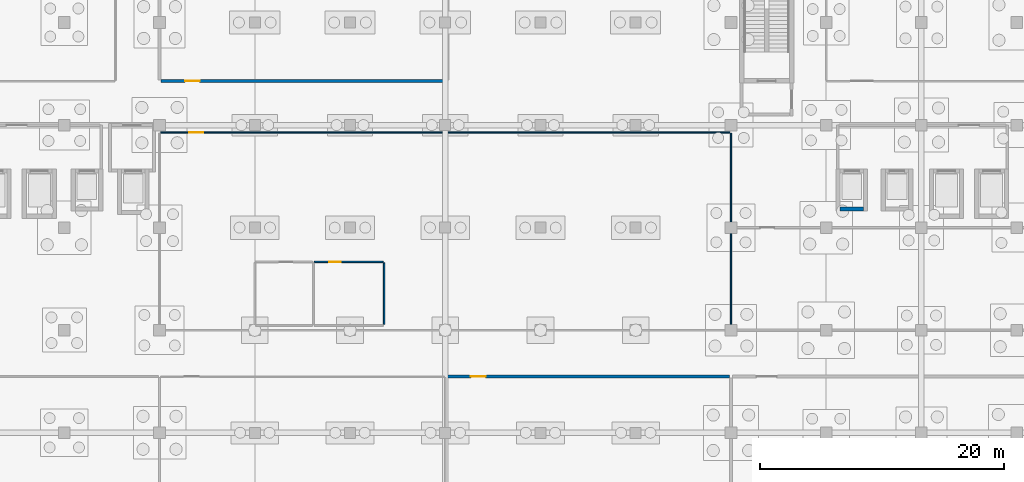
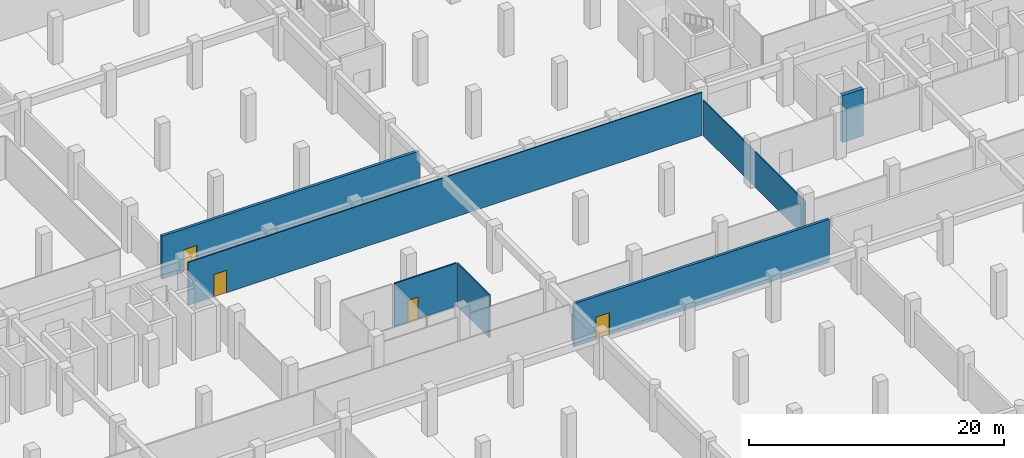
# One storey, part 16 of 30: 7 walls, 4 doors, 4 openings.
"""IFC4 building model written with IfcOpenShell, lengths in metres."""

from ifc_helpers import new_model, si_unit, direction, frame, frame_2d, origin, place, context, subcontext, project, spatial, rectangle, extrude, material, layer, layer_set, type_object, element, fill, save


model = new_model("IFC4")

# Units and contexts
model_context = context("Model", 3, precision=1e-05, world=origin(), true_north=direction((0.0, 1.0)))
body_context = subcontext(model_context, "Body", "Model", "MODEL_VIEW")
ifc_project = project(units=[si_unit("LENGTHUNIT", "METRE"), si_unit("AREAUNIT", "SQUARE_METRE"), si_unit("VOLUMEUNIT", "CUBIC_METRE"), si_unit("PLANEANGLEUNIT", "RADIAN"), si_unit("MASSUNIT", "GRAM", prefix="KILO"), si_unit("THERMODYNAMICTEMPERATUREUNIT", "KELVIN"), si_unit("POWERUNIT", "WATT")], contexts=[model_context])

# Site, building, storey
site_placement = place(None, origin())
site = spatial("IfcSite", under=ifc_project, at=site_placement, CompositionType="ELEMENT")
building_placement = place(site_placement, origin())
building = spatial("IfcBuilding", under=site, at=building_placement, Name="Srebrne Nadtorze General Hospital", CompositionType="ELEMENT")
storey_placement = place(building_placement, frame((0.0, 0.0, -4.5)))
storey = spatial("IfcBuildingStorey", under=building, at=storey_placement, Name="B1", CompositionType="ELEMENT", Elevation=-4.5)

# Wall, opening, door
ifc_material_1 = material(Name="Gypsum Healthcare Partition")
ifc_layer_1 = layer(ifc_material_1, 0.239990234375)
ifc_layer_set_1 = layer_set([ifc_layer_1], Name="Gypsum Healthcare Partition")
wall_type_1 = type_object("IfcWallType", Name="Corridor fire wall 240", PredefinedType="STANDARD", material=ifc_layer_set_1)
wall_1_placement = place(storey_placement, frame((54.7099609375, 54.0, 0.0), z_axis=(0.0, 0.0, 1.0), x_axis=(1.0, 0.0, 0.0)))
wall_1 = element("IfcWall", 1, at=wall_1_placement, inside=storey, type_object=wall_type_1, Name="Central Sterile Supply Department wall WL-INT-B1-1204", PredefinedType="STANDARD", context=body_context, shape_type="SweptSolid", body=[
    extrude(rectangle(XDim=23.35498046875, YDim=0.239990234375, at=frame_2d((11.677490234375, 0.0))), origin(), (0.0, 0.0, 1.0), 4.1298828125),
])
opening_1_placement = place(wall_1_placement, frame((1.9765625, 0.0, 0.0)))
opening_1 = element("IfcOpeningElement", 2, at=opening_1_placement, cuts=wall_1, Name="Opening D-B1-0167", PredefinedType="OPENING", context=body_context, shape_type="SweptSolid", body=[
    extrude(rectangle(XDim=1.199951171875, YDim=2.14990234375, at=frame_2d((0.60009765625, 1.074951171875))), frame((0.0, 0.1318359375, 0.0), z_axis=(0.0, -1.0, 0.0), x_axis=(1.0, 0.0, 0.0)), (0.0, 0.0, 1.0), 0.263916015625),
])
ifc_material_2 = material(Name="Anodised Aluminium", Category="aluminium")
door_type_1 = type_object("IfcDoorType", Name="Single leaf door 1200x2150", OperationType="NOTDEFINED", PredefinedType="DOOR", material=ifc_material_2)
door_1_placement = place(opening_1_placement, origin())
door_1 = element("IfcDoor", 3, at=door_1_placement, inside=storey, type_object=door_type_1, Name="Central Sterile Supply Department door D-B1-0167", OperationType="SINGLE_SWING_LEFT", OverallHeight=2.14990234375, OverallWidth=1.199951171875, PredefinedType="DOOR", context=body_context, shape_type="SweptSolid", body=[
    extrude(rectangle(XDim=1.199951171875, YDim=2.14990234375, at=frame_2d((0.60009765625, 1.074951171875))), frame((0.0, 0.02490234375, 0.0), z_axis=(0.0, -1.0, 0.0), x_axis=(1.0, 0.0, 0.0)), (0.0, 0.0, 1.0), 0.050048828125),
])
fill(opening_1, door_1)

wall_2_placement = place(storey_placement, frame((78.110107421875, 29.800048828125, 0.0), z_axis=(0.0, 0.0, 1.0), x_axis=(1.0, 0.0, 0.0)))
wall_2 = element("IfcWall", 4, at=wall_2_placement, inside=storey, type_object=wall_type_1, Name="Hospital Linen and Sterile Logistics wall WL-INT-B1-1238", PredefinedType="STANDARD", context=body_context, shape_type="SweptSolid", body=[
    extrude(rectangle(XDim=23.179931640625, YDim=0.239990234375, at=frame_2d((11.58984375, 0.0))), origin(), (0.0, 0.0, 1.0), 4.1298828125),
])
opening_2_placement = place(wall_2_placement, frame((1.980712890625, 0.0, 0.0)))
opening_2 = element("IfcOpeningElement", 5, at=opening_2_placement, cuts=wall_2, Name="Opening D-B1-0174", PredefinedType="OPENING", context=body_context, shape_type="SweptSolid", body=[
    extrude(rectangle(XDim=1.219970703125, YDim=2.14990234375, at=frame_2d((0.60986328125, 1.074951171875))), frame((0.0, 0.1318359375, 0.0), z_axis=(0.0, -1.0, 0.0), x_axis=(1.0, 0.0, 0.0)), (0.0, 0.0, 1.0), 0.263916015625),
])
ifc_material_3 = material(Name="Anodised Aluminium", Category="aluminium")
door_type_2 = type_object("IfcDoorType", Name="Single leaf door 1220x2150", OperationType="NOTDEFINED", PredefinedType="DOOR", material=ifc_material_3)
door_2_placement = place(opening_2_placement, frame((1.219970703125, 0.0, 0.0), z_axis=(0.0, 0.0, 1.0), x_axis=(-1.0, 0.0, 0.0)))
door_2 = element("IfcDoor", 6, at=door_2_placement, inside=storey, type_object=door_type_2, Name="Hospital Linen and Sterile Logistics door D-B1-0174", OperationType="SINGLE_SWING_RIGHT", OverallHeight=2.14990234375, OverallWidth=1.219970703125, PredefinedType="DOOR", context=body_context, shape_type="SweptSolid", body=[
    extrude(rectangle(XDim=1.219970703125, YDim=2.14990234375, at=frame_2d((0.60986328125, 1.074951171875))), frame((0.0, 0.02490234375, 0.0), z_axis=(0.0, -1.0, 0.0), x_axis=(1.0, 0.0, 0.0)), (0.0, 0.0, 1.0), 0.050048828125),
])
fill(opening_2, door_2)

ifc_material_4 = material(Name="Gypsum Healthcare Partition")
ifc_layer_2 = layer(ifc_material_4, 0.1201171875)
ifc_layer_set_2 = layer_set([ifc_layer_2], Name="Gypsum Healthcare Partition")
wall_type_2 = type_object("IfcWallType", Name="En-suite partition 120", PredefinedType="PARTITIONING", material=ifc_layer_set_2)
wall_3_placement = place(storey_placement, frame((67.284912109375, 39.199951171875, 0.0), z_axis=(0.0, 0.0, 1.0), x_axis=(1.0, 0.0, 0.0)))
wall_3 = element("IfcWall", 7, at=wall_3_placement, inside=storey, type_object=wall_type_2, Name="Staff WC wall WL-INT-B1-1269", PredefinedType="PARTITIONING", context=body_context, shape_type="SweptSolid", body=[
    extrude(rectangle(XDim=5.630126953125, YDim=0.1201171875, at=frame_2d((2.81494140625, 0.0))), origin(), (0.0, 0.0, 1.0), 4.1298828125),
])
opening_3_placement = place(wall_3_placement, frame((1.221435546875, 0.0, 0.0)))
opening_3 = element("IfcOpeningElement", 8, at=opening_3_placement, cuts=wall_3, Name="Opening D-B1-0181", PredefinedType="OPENING", context=body_context, shape_type="SweptSolid", body=[
    extrude(rectangle(XDim=0.919921875, YDim=2.080078125, at=frame_2d((0.4599609375, 1.0400390625))), frame((0.0, 0.072021484375, 0.0), z_axis=(0.0, -1.0, 0.0), x_axis=(1.0, 0.0, 0.0)), (0.0, 0.0, 1.0), 0.14404296875),
])
ifc_material_5 = material(Name="Anodised Aluminium", Category="aluminium")
door_type_3 = type_object("IfcDoorType", Name="Single leaf door 920x2080", OperationType="NOTDEFINED", PredefinedType="DOOR", material=ifc_material_5)
door_3_placement = place(opening_3_placement, frame((0.919921875, 0.0, 0.0), z_axis=(0.0, 0.0, 1.0), x_axis=(-1.0, 0.0, 0.0)))
door_3 = element("IfcDoor", 9, at=door_3_placement, inside=storey, type_object=door_type_3, Name="Staff WC door D-B1-0181", OperationType="SINGLE_SWING_LEFT", OverallHeight=2.080078125, OverallWidth=0.919921875, PredefinedType="DOOR", context=body_context, shape_type="SweptSolid", body=[
    extrude(rectangle(XDim=0.919921875, YDim=2.080078125, at=frame_2d((0.4599609375, 1.0400390625))), frame((0.0, 0.02490234375, 0.0), z_axis=(0.0, -1.0, 0.0), x_axis=(1.0, 0.0, 0.0)), (0.0, 0.0, 1.0), 0.050048828125),
])
fill(opening_3, door_3)

# Wall
wall_4_placement = place(storey_placement, frame((73.0, 34.0849609375, 0.0), z_axis=(0.0, 0.0, 1.0), x_axis=(0.0, 1.0, 0.0)))
element("IfcWall", 10, at=wall_4_placement, inside=storey, type_object=wall_type_2, Name="Staff WC wall WL-INT-B1-1271", PredefinedType="PARTITIONING", context=body_context, shape_type="SweptSolid", body=[
    extrude(rectangle(XDim=5.030029296875, YDim=0.1201171875, at=frame_2d((2.51513671875, 0.0))), origin(), (0.0, 0.0, 1.0), 4.1298828125),
])

# Wall, opening, door
ifc_material_6 = material(Name="Gypsum Healthcare Partition")
ifc_layer_3 = layer(ifc_material_6, 0.10009765625)
ifc_layer_set_3 = layer_set([ifc_layer_3], Name="Gypsum Healthcare Partition")
wall_type_3 = type_object("IfcWallType", Name="Shaft lining wall 100", PredefinedType="PARTITIONING", material=ifc_layer_set_3)
wall_5_placement = place(storey_placement, frame((54.68505859375, 49.800048828125, 0.0), z_axis=(0.0, 0.0, 1.0), x_axis=(1.0, 0.0, 0.0)))
wall_5 = element("IfcWall", 11, at=wall_5_placement, inside=storey, type_object=wall_type_3, Name="Biomedical Equipment Maintenance Workshop wall WL-INT-B1-1272", PredefinedType="PARTITIONING", context=body_context, shape_type="SweptSolid", body=[
    extrude(rectangle(XDim=46.6298828125, YDim=0.10009765625, at=frame_2d((23.31494140625, 0.0))), origin(), (0.0, 0.0, 1.0), 4.1298828125),
])
opening_4_placement = place(wall_5_placement, frame((2.342041015625, 0.0, 0.0)))
opening_4 = element("IfcOpeningElement", 12, at=opening_4_placement, cuts=wall_5, Name="Opening D-B1-0182", PredefinedType="OPENING", context=body_context, shape_type="SweptSolid", body=[
    extrude(rectangle(XDim=1.14990234375, YDim=2.14990234375, at=frame_2d((0.574951171875, 1.074951171875))), frame((0.0, 0.06201171875, 0.0), z_axis=(0.0, -1.0, 0.0), x_axis=(1.0, 0.0, 0.0)), (0.0, 0.0, 1.0), 0.1240234375),
])
ifc_material_7 = material(Name="Anodised Aluminium", Category="aluminium")
door_type_4 = type_object("IfcDoorType", Name="Single leaf door 1150x2150", OperationType="NOTDEFINED", PredefinedType="DOOR", material=ifc_material_7)
door_4_placement = place(opening_4_placement, frame((1.14990234375, 0.0, 0.0), z_axis=(0.0, 0.0, 1.0), x_axis=(-1.0, 0.0, 0.0)))
door_4 = element("IfcDoor", 13, at=door_4_placement, inside=storey, type_object=door_type_4, Name="Biomedical Equipment Maintenance Workshop door D-B1-0182", OperationType="SINGLE_SWING_RIGHT", OverallHeight=2.14990234375, OverallWidth=1.14990234375, PredefinedType="DOOR", context=body_context, shape_type="SweptSolid", body=[
    extrude(rectangle(XDim=1.14990234375, YDim=2.14990234375, at=frame_2d((0.574951171875, 1.074951171875))), frame((0.0, 0.02490234375, 0.0), z_axis=(0.0, -1.0, 0.0), x_axis=(1.0, 0.0, 0.0)), (0.0, 0.0, 1.0), 0.050048828125),
])
fill(opening_4, door_4)

# Walls
wall_6_placement = place(storey_placement, frame((101.39990234375, 33.68505859375, 0.0), z_axis=(0.0, 0.0, 1.0), x_axis=(0.0, 1.0, 0.0)))
element("IfcWall", 14, at=wall_6_placement, inside=storey, type_object=wall_type_3, Name="Biomedical Equipment Maintenance Workshop wall WL-INT-B1-1275", PredefinedType="PARTITIONING", context=body_context, shape_type="SweptSolid", body=[
    extrude(rectangle(XDim=16.030029296875, YDim=0.10009765625, at=frame_2d((8.01513671875, 0.0))), origin(), (0.0, 0.0, 1.0), 3.39990234375),
])
ifc_material_8 = material(Name="Concrete C40/50", Category="concrete")
ifc_layer_4 = layer(ifc_material_8, 0.35009765625)
ifc_layer_set_4 = layer_set([ifc_layer_4], Name="Concrete C40/50")
wall_type_4 = type_object("IfcWallType", Name="Shear core wall 350", PredefinedType="SHEAR", material=ifc_layer_set_4)
wall_7_placement = place(storey_placement, frame((110.35009765625, 43.534912109375, 0.0), z_axis=(0.0, 0.0, 1.0), x_axis=(1.0, 0.0, 0.0)))
element("IfcWall", 15, at=wall_7_placement, inside=storey, type_object=wall_type_4, Name="Lift shaft back wall LP-03 WL-INT-B1-0700", PredefinedType="SHEAR", context=body_context, shape_type="SweptSolid", body=[
    extrude(rectangle(XDim=1.89990234375, YDim=0.35009765625, at=frame_2d((0.949951171875, 0.0))), origin(), (0.0, 0.0, 1.0), 4.5),
])

save(model, "model.ifc")
